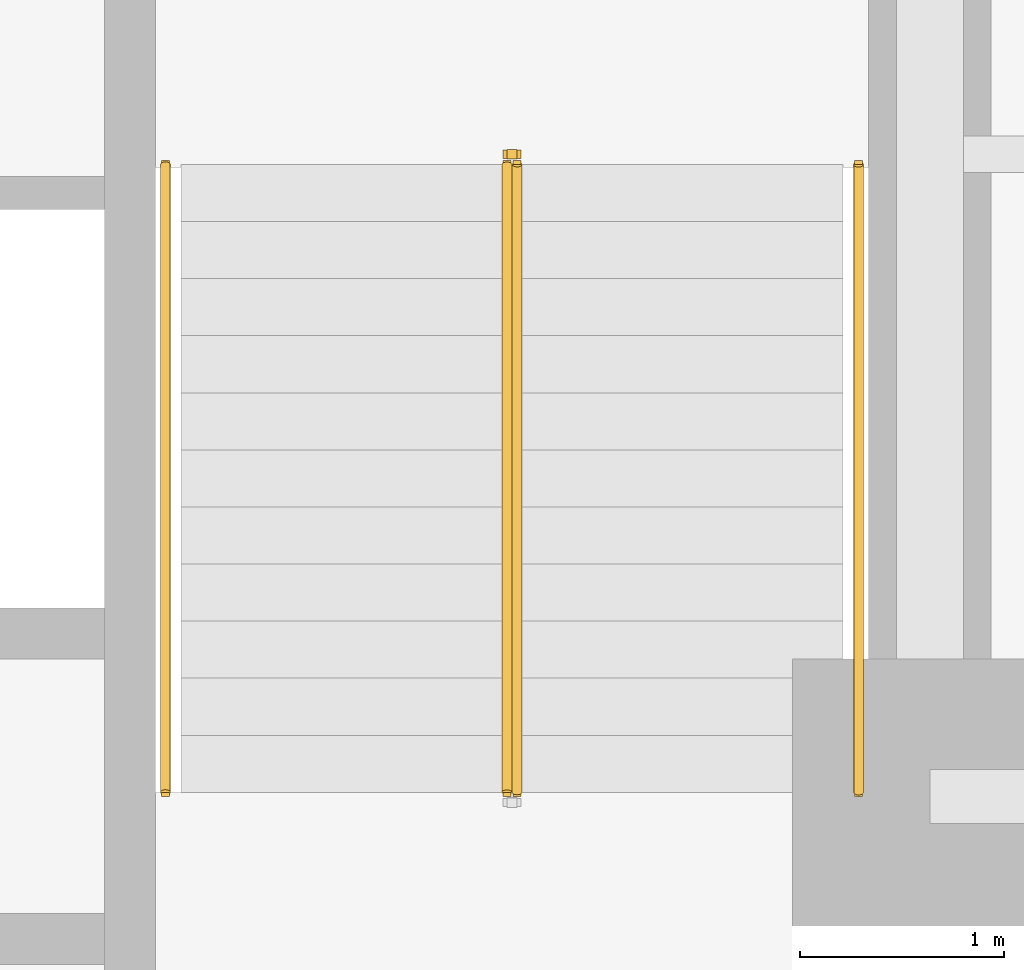
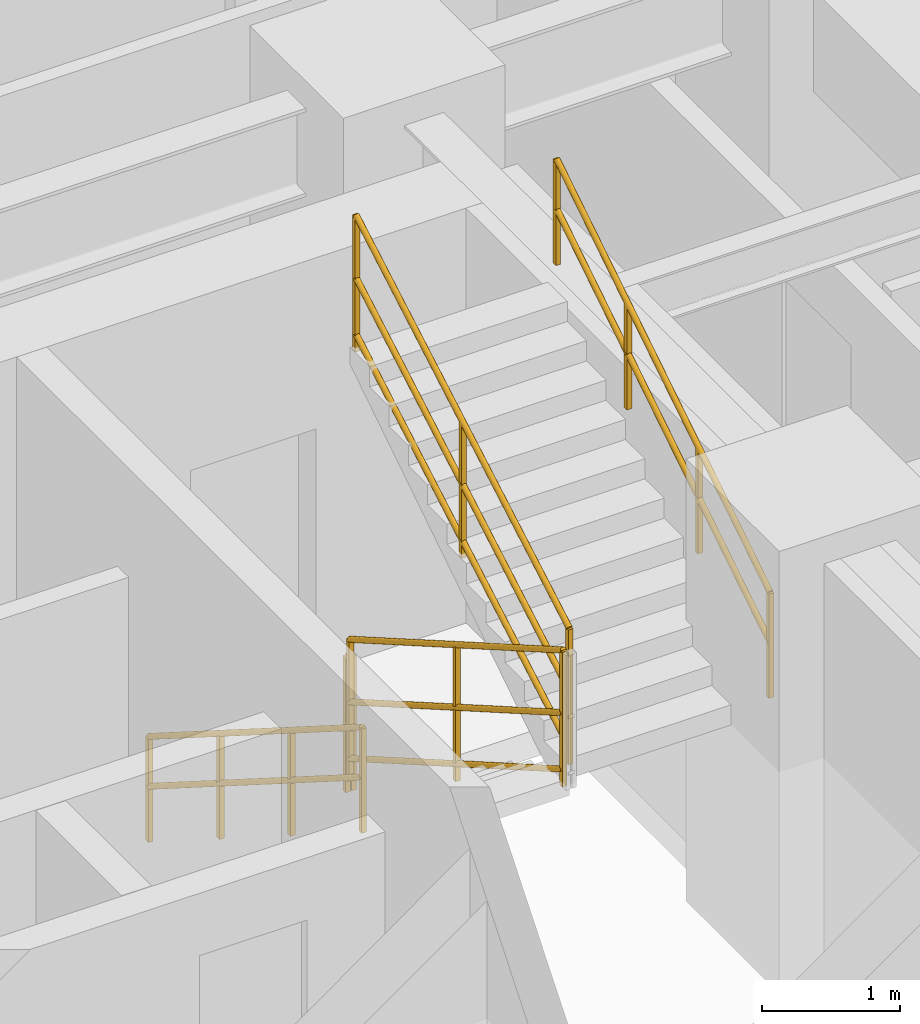
# One storey, part 8 of 9: 5 railings.
"""IFC4 building model written with IfcOpenShell, lengths in metres."""

from ifc_helpers import new_model, entity, si_unit, converted_unit, direction, frame, origin_with_axes, origin_2d_with_axis, place, context, subcontext, project, spatial, rectangle, circle, extrude, material, type_object, element, save


model = new_model("IFC4")

# Units and contexts
model_context = context("Model", 3, precision=1e-05, world=origin_with_axes(), true_north=direction((0.0, 1.0)))
body_context = subcontext(model_context, "Body", "Model", "MODEL_VIEW")
ifc_project = project(units=[si_unit("LENGTHUNIT", "METRE"), si_unit("AREAUNIT", "SQUARE_METRE"), si_unit("VOLUMEUNIT", "CUBIC_METRE"), converted_unit("PLANEANGLEUNIT", "DEGREE", entity("IfcPlaneAngleMeasure", 0.017453292519943295), si_unit("PLANEANGLEUNIT", "RADIAN"), dimensions=[0, 0, 0, 0, 0, 0, 0]), si_unit("MASSUNIT", "GRAM", prefix="KILO"), si_unit("THERMODYNAMICTEMPERATUREUNIT", "KELVIN")], contexts=[model_context])

# Site, building, storey
site_placement = place(None, origin_with_axes())
site = spatial("IfcSite", under=ifc_project, at=site_placement, CompositionType="ELEMENT")
building_placement = place(site_placement, origin_with_axes())
building = spatial("IfcBuilding", under=site, at=building_placement, Name="Varnlund Millrace Tower", CompositionType="ELEMENT")
storey_placement = place(building_placement, frame((0.0, 0.0, 36.6), z_axis=(0.0, 0.0, 1.0), x_axis=(1.0, 0.0, 0.0)))
storey = spatial("IfcBuildingStorey", under=building, at=storey_placement, Name="L08", CompositionType="ELEMENT", Elevation=36.6)

# Railings
ifc_material_1 = material(Name="Painted steel stair well balustrade guard", Category="steel")
railing_type_1 = type_object("IfcRailingType", Name="Type-StairGuard-1150", PredefinedType="GUARDRAIL", material=ifc_material_1)
railing_1_placement = place(storey_placement, frame((0.0, 0.0, -36.6), z_axis=(0.0, 0.0, 1.0), x_axis=(1.0, 0.0, 0.0)))
element("IfcRailing", 1, at=railing_1_placement, inside=storey, type_object=railing_type_1, Name="Type-StairGuard-1150", PredefinedType="GUARDRAIL", context=body_context, shape_type="SweptSolid", body=[
    extrude(circle(Radius=0.024, at=origin_2d_with_axis()), frame((45.975, 21.1, 37.927273), z_axis=(0.0, -0.866696, 0.498836), x_axis=(1.0, 0.0, 0.0)), (0.0, 0.0, 1.0), 3.553725),
    extrude(circle(Radius=0.024, at=origin_2d_with_axis()), frame((45.975, 21.1, 36.877273), z_axis=(0.0, -0.866696, 0.498836), x_axis=(1.0, 0.0, 0.0)), (0.0, 0.0, 1.0), 3.553725),
    extrude(circle(Radius=0.024, at=origin_2d_with_axis()), frame((45.975, 21.1, 37.375273), z_axis=(0.0, -0.866696, 0.498836), x_axis=(1.0, 0.0, 0.0)), (0.0, 0.0, 1.0), 3.553725),
    extrude(rectangle(XDim=0.04, YDim=0.04, at=origin_2d_with_axis()), frame((45.975, 21.1, 36.737273), z_axis=(0.0, 0.0, 1.0), x_axis=(1.0, 0.0, 0.0)), (0.0, 0.0, 1.0), 1.19),
    extrude(rectangle(XDim=0.04, YDim=0.04, at=origin_2d_with_axis()), frame((45.975, 19.56, 37.623636), z_axis=(0.0, 0.0, 1.0), x_axis=(1.0, 0.0, 0.0)), (0.0, 0.0, 1.0), 1.19),
    extrude(rectangle(XDim=0.04, YDim=0.04, at=origin_2d_with_axis()), frame((45.975, 18.02, 38.51), z_axis=(0.0, 0.0, 1.0), x_axis=(1.0, 0.0, 0.0)), (0.0, 0.0, 1.0), 1.19),
])
railing_2_placement = place(storey_placement, frame((0.0, 0.0, -36.6), z_axis=(0.0, 0.0, 1.0), x_axis=(1.0, 0.0, 0.0)))
element("IfcRailing", 2, at=railing_2_placement, inside=storey, type_object=railing_type_1, Name="Type-StairGuard-1150", PredefinedType="GUARDRAIL", context=body_context, shape_type="SweptSolid", body=[
    extrude(circle(Radius=0.024, at=origin_2d_with_axis()), frame((46.025, 18.02, 39.877273), z_axis=(0.0, 0.866696, 0.498836), x_axis=(-1.0, 0.0, 0.0)), (0.0, 0.0, 1.0), 3.553725),
    extrude(circle(Radius=0.024, at=origin_2d_with_axis()), frame((46.025, 18.02, 38.827273), z_axis=(0.0, 0.866696, 0.498836), x_axis=(-1.0, 0.0, 0.0)), (0.0, 0.0, 1.0), 3.553725),
    extrude(circle(Radius=0.024, at=origin_2d_with_axis()), frame((46.025, 18.02, 39.325273), z_axis=(0.0, 0.866696, 0.498836), x_axis=(-1.0, 0.0, 0.0)), (0.0, 0.0, 1.0), 3.553725),
    extrude(rectangle(XDim=0.04, YDim=0.04, at=origin_2d_with_axis()), frame((46.025, 18.02, 38.687273), z_axis=(0.0, 0.0, 1.0), x_axis=(1.0, 0.0, 0.0)), (0.0, 0.0, 1.0), 1.19),
    extrude(rectangle(XDim=0.04, YDim=0.04, at=origin_2d_with_axis()), frame((46.025, 19.56, 39.573636), z_axis=(0.0, 0.0, 1.0), x_axis=(1.0, 0.0, 0.0)), (0.0, 0.0, 1.0), 1.19),
    extrude(rectangle(XDim=0.04, YDim=0.04, at=origin_2d_with_axis()), frame((46.025, 21.1, 40.46), z_axis=(0.0, 0.0, 1.0), x_axis=(1.0, 0.0, 0.0)), (0.0, 0.0, 1.0), 1.19),
])
railing_3_placement = place(storey_placement, frame((0.0, 0.0, -36.6), z_axis=(0.0, 0.0, 1.0), x_axis=(1.0, 0.0, 0.0)))
element("IfcRailing", 3, at=railing_3_placement, inside=storey, type_object=railing_type_1, Name="Type-StairGuard-1150", PredefinedType="GUARDRAIL", context=body_context, shape_type="SweptSolid", body=[
    extrude(circle(Radius=0.024, at=origin_2d_with_axis()), frame((46.025, 21.15, 37.75), z_axis=(-1.0, 0.0, 0.0), x_axis=(0.0, -1.0, 0.0)), (0.0, 0.0, 1.0), 0.05),
    extrude(circle(Radius=0.024, at=origin_2d_with_axis()), frame((46.025, 21.15, 36.7), z_axis=(-1.0, 0.0, 0.0), x_axis=(0.0, -1.0, 0.0)), (0.0, 0.0, 1.0), 0.05),
    extrude(circle(Radius=0.024, at=origin_2d_with_axis()), frame((46.025, 21.15, 37.198), z_axis=(-1.0, 0.0, 0.0), x_axis=(0.0, -1.0, 0.0)), (0.0, 0.0, 1.0), 0.05),
    extrude(rectangle(XDim=0.04, YDim=0.04, at=origin_2d_with_axis()), frame((46.025, 21.15, 36.56), z_axis=(0.0, 0.0, 1.0), x_axis=(1.0, 0.0, 0.0)), (0.0, 0.0, 1.0), 1.19),
    extrude(rectangle(XDim=0.04, YDim=0.04, at=origin_2d_with_axis()), frame((45.975, 21.15, 36.56), z_axis=(0.0, 0.0, 1.0), x_axis=(1.0, 0.0, 0.0)), (0.0, 0.0, 1.0), 1.19),
])
ifc_material_2 = material(Name="Brushed architectural bronze stair handrail", Category="aluminium")
railing_type_2 = type_object("IfcRailingType", Name="Type-StairHandrail-900", PredefinedType="HANDRAIL", material=ifc_material_2)
railing_4_placement = place(storey_placement, frame((0.0, 0.0, -36.6), z_axis=(0.0, 0.0, 1.0), x_axis=(1.0, 0.0, 0.0)))
element("IfcRailing", 4, at=railing_4_placement, inside=storey, type_object=railing_type_2, Name="Type-StairHandrail-900", PredefinedType="HANDRAIL", context=body_context, shape_type="SweptSolid", body=[
    extrude(circle(Radius=0.024, at=origin_2d_with_axis()), frame((44.3, 21.1, 37.656995), z_axis=(0.0, -0.844902, 0.534922), x_axis=(1.0, 0.0, 0.0)), (0.0, 0.0, 1.0), 3.645394),
    extrude(circle(Radius=0.024, at=origin_2d_with_axis()), frame((44.3, 21.1, 37.217134), z_axis=(0.0, -0.844902, 0.534922), x_axis=(1.0, 0.0, 0.0)), (0.0, 0.0, 1.0), 3.645394),
    extrude(rectangle(XDim=0.04, YDim=0.04, at=origin_2d_with_axis()), frame((44.3, 21.1, 36.737273), z_axis=(0.0, 0.0, 1.0), x_axis=(1.0, 0.0, 0.0)), (0.0, 0.0, 1.0), 0.919722),
    extrude(rectangle(XDim=0.04, YDim=0.04, at=origin_2d_with_axis()), frame((44.3, 20.073333, 37.387273), z_axis=(0.0, 0.0, 1.0), x_axis=(1.0, 0.0, 0.0)), (0.0, 0.0, 1.0), 0.919722),
    extrude(rectangle(XDim=0.04, YDim=0.04, at=origin_2d_with_axis()), frame((44.3, 19.046667, 38.037273), z_axis=(0.0, 0.0, 1.0), x_axis=(1.0, 0.0, 0.0)), (0.0, 0.0, 1.0), 0.919722),
    extrude(rectangle(XDim=0.04, YDim=0.04, at=origin_2d_with_axis()), frame((44.3, 18.02, 38.687273), z_axis=(0.0, 0.0, 1.0), x_axis=(1.0, 0.0, 0.0)), (0.0, 0.0, 1.0), 0.919722),
])
railing_5_placement = place(storey_placement, frame((0.0, 0.0, -36.6), z_axis=(0.0, 0.0, 1.0), x_axis=(1.0, 0.0, 0.0)))
element("IfcRailing", 5, at=railing_5_placement, inside=storey, type_object=railing_type_2, Name="Type-StairHandrail-900", PredefinedType="HANDRAIL", context=body_context, shape_type="SweptSolid", body=[
    extrude(circle(Radius=0.024, at=origin_2d_with_axis()), frame((47.7, 18.02, 39.606995), z_axis=(0.0, 0.844902, 0.534922), x_axis=(-1.0, 0.0, 0.0)), (0.0, 0.0, 1.0), 3.645394),
    extrude(circle(Radius=0.024, at=origin_2d_with_axis()), frame((47.7, 18.02, 39.167134), z_axis=(0.0, 0.844902, 0.534922), x_axis=(-1.0, 0.0, 0.0)), (0.0, 0.0, 1.0), 3.645394),
    extrude(rectangle(XDim=0.04, YDim=0.04, at=origin_2d_with_axis()), frame((47.7, 18.02, 38.687273), z_axis=(0.0, 0.0, 1.0), x_axis=(1.0, 0.0, 0.0)), (0.0, 0.0, 1.0), 0.919722),
    extrude(rectangle(XDim=0.04, YDim=0.04, at=origin_2d_with_axis()), frame((47.7, 19.046667, 39.337273), z_axis=(0.0, 0.0, 1.0), x_axis=(1.0, 0.0, 0.0)), (0.0, 0.0, 1.0), 0.919722),
    extrude(rectangle(XDim=0.04, YDim=0.04, at=origin_2d_with_axis()), frame((47.7, 20.073333, 39.987273), z_axis=(0.0, 0.0, 1.0), x_axis=(1.0, 0.0, 0.0)), (0.0, 0.0, 1.0), 0.919722),
    extrude(rectangle(XDim=0.04, YDim=0.04, at=origin_2d_with_axis()), frame((47.7, 21.1, 40.637273), z_axis=(0.0, 0.0, 1.0), x_axis=(1.0, 0.0, 0.0)), (0.0, 0.0, 1.0), 0.919722),
])

save(model, "model.ifc")
